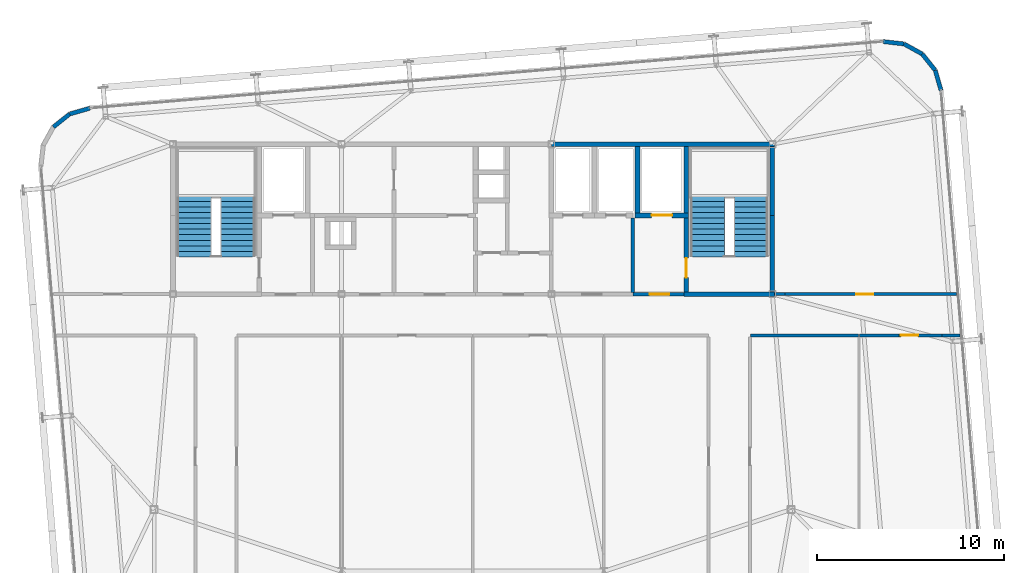
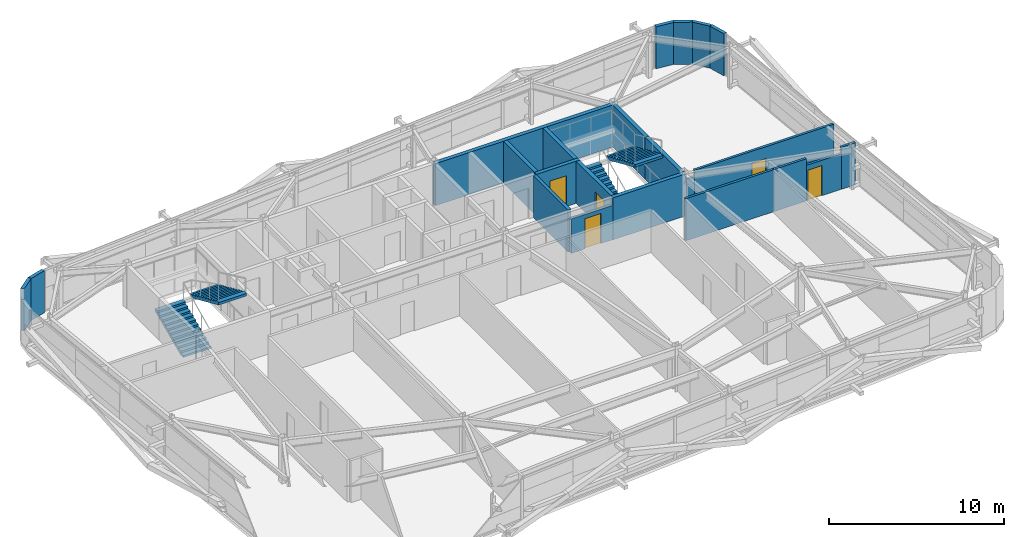
# One storey, part 35 of 37: 22 walls, 5 doors, 4 stair flights, 5 openings, 2 elements without a shape of their own.
"""IFC4 building model written with IfcOpenShell, lengths in metres."""

from ifc_helpers import new_model, si_unit, direction, frame, frame_2d, origin, place, context, subcontext, project, spatial, polyline, rectangle, outline, extrude, source, transform, mapped, material, layer, layer_set, type_object, element, fill, aggregate, save


model = new_model("IFC4")

# Units and contexts
model_context = context("Model", 3, precision=1e-05, world=origin(), true_north=direction((0.0, 1.0)))
body_context = subcontext(model_context, "Body", "Model", "MODEL_VIEW")
ifc_project = project(units=[si_unit("LENGTHUNIT", "METRE"), si_unit("AREAUNIT", "SQUARE_METRE"), si_unit("VOLUMEUNIT", "CUBIC_METRE"), si_unit("PLANEANGLEUNIT", "RADIAN"), si_unit("MASSUNIT", "GRAM", prefix="KILO")], contexts=[model_context])

# Site, building, storey
site_placement = place(None, origin())
site = spatial("IfcSite", under=ifc_project, at=site_placement, CompositionType="ELEMENT")
building_placement = place(site_placement, origin())
building = spatial("IfcBuilding", under=site, at=building_placement, Name="Taldren Reach Tower", CompositionType="ELEMENT")
storey_placement = place(building_placement, frame((0.0, 0.0, 182.0)))
storey = spatial("IfcBuildingStorey", under=building, at=storey_placement, Name="L55", CompositionType="ELEMENT", Elevation=182.0)

# Walls
ifc_material_1 = material(Name="Pale Champagne Anodised Aluminium Cladding", Category="aluminium")
ifc_layer_1 = layer(ifc_material_1, 0.04, Name="Pale Champagne Anodised Aluminium Cladding", Category="aluminium")
ifc_material_2 = material(Name="Mineral Wool Acoustic Insulation", Category="insulation")
ifc_layer_2 = layer(ifc_material_2, 0.06, Name="Mineral Wool Acoustic Insulation", Category="insulation")
ifc_material_3 = material(Name="Steel Gr 350 (C350L0)", Category="steel")
ifc_layer_3 = layer(ifc_material_3, 0.12, Name="Steel Gr 350 (C350L0)", Category="steel")
ifc_layer_set_1 = layer_set([ifc_layer_1, ifc_layer_2, ifc_layer_3], Name="Pale Champagne Aluminium Cladding and Steel Gr 350 Stud Framing")
wall_type_1 = type_object("IfcWallType", Name="EW-CRN-220", PredefinedType="SOLIDWALL", material=ifc_layer_set_1)
shared_shape_1 = source(origin(), body_context, "Body", "SweptSolid", [
    extrude(rectangle(XDim=1.115966796875, YDim=0.219970703125, at=frame_2d((0.55810546875, 0.0))), origin(), (0.0, 0.0, 1.0), 2.929931640625),
])
for number, where, z_axis, x_axis, name in (
    (1, (60.004150390625, 34.870361328125, 0.0), (0.0, 0.0, 1.0), (-0.276512002475, 0.961010464297, 0.0), "Rounded-corner pale-metal facade wall L55-NE1"),
    (2, (59.695556640625, 35.94287109375, 0.0), (0.0, 0.0, 1.0), (-0.623092886403, 0.782147847222, 0.0), "Rounded-corner pale-metal facade wall L55-NE2"),
    (3, (59.000244140625, 36.815673828125, 0.0), (0.0, 0.0, 1.0), (-0.875105012065, 0.483933071672, 0.0), "Rounded-corner pale-metal facade wall L55-NE3"),
    (4, (58.023681640625, 37.355712890625, 0.0), (0.0, 0.0, 1.0), (-0.993657581277, 0.112448259968, 0.0), "Rounded-corner pale-metal facade wall L55-NE4"),
    (5, (14.56396484375, 33.9248046875, 0.0), (0.0, 0.0, 1.0), (-0.961010464297, -0.276512002475, 0.0), "Rounded-corner pale-metal facade wall L55-NW1"),
):
    element("IfcWall", number, at=place(storey_placement, frame(where, z_axis=z_axis, x_axis=x_axis)), inside=storey, type_object=wall_type_1, Name=name, PredefinedType="SOLIDWALL", context=body_context, shape_type="MappedRepresentation", body=[
        mapped(shared_shape_1, transform((0.0, 0.0, 0.0), scale=1.0)),
    ])
shared_shape_2 = source(origin(), body_context, "Body", "SweptSolid", [
    extrude(rectangle(XDim=1.11572265625, YDim=0.219970703125, at=frame_2d((0.557861328125, 0.0))), origin(), (0.0, 0.0, 1.0), 2.929931640625),
])
wall_1_placement = place(storey_placement, frame((13.491455078125, 33.6162109375, 0.0), z_axis=(0.0, 0.0, 1.0), x_axis=(-0.782062884215, -0.623199522732, 0.0)))
element("IfcWall", 6, at=wall_1_placement, inside=storey, type_object=wall_type_1, Name="Rounded-corner pale-metal facade wall L55-NW2", PredefinedType="SOLIDWALL", context=body_context, shape_type="MappedRepresentation", body=[
    mapped(shared_shape_2, transform((0.0, 0.0, 0.0), scale=1.0)),
])
ifc_material_4 = material(Name="Concrete S65 (65 MPa)", Category="concrete")
ifc_layer_4 = layer(ifc_material_4, 0.25)
ifc_layer_set_2 = layer_set([ifc_layer_4], Name="Concrete S65 (65 MPa)")
wall_type_2 = type_object("IfcWallType", Name="IW-CORE-250", PredefinedType="SHEAR", material=ifc_layer_set_2)
shared_shape_3 = source(origin(), body_context, "Body", "SweptSolid", [
    extrude(rectangle(XDim=11.925048828125, YDim=0.25, at=frame_2d((5.96240234375, 0.0))), origin(), (0.0, 0.0, 1.0), 2.929931640625),
])
wall_2_placement = place(storey_placement, frame((39.199951171875, 32.0, 0.0), z_axis=(0.0, 0.0, 1.0), x_axis=(1.0, 0.0, 0.0)))
element("IfcWall", 7, at=wall_2_placement, inside=storey, type_object=wall_type_2, Name="Rear Core Shear Wall W-CORE-L55-NORTH3", PredefinedType="SHEAR", context=body_context, shape_type="MappedRepresentation", body=[
    mapped(shared_shape_3, transform((0.0, 0.0, 0.0), scale=1.0)),
])
shared_shape_4 = source(origin(), body_context, "Body", "SweptSolid", [
    extrude(rectangle(XDim=4.074951171875, YDim=0.25, at=frame_2d((2.03759765625, 0.0))), origin(), (0.0, 0.0, 1.0), 2.929931640625),
])
wall_3_placement = place(storey_placement, frame((51.0, 24.125, 0.0), z_axis=(0.0, 0.0, 1.0), x_axis=(0.0, 1.0, 0.0)))
element("IfcWall", 8, at=wall_3_placement, inside=storey, type_object=wall_type_2, Name="Rear Core Shear Wall W-CORE-L55-EAST1", PredefinedType="SHEAR", context=body_context, shape_type="MappedRepresentation", body=[
    mapped(shared_shape_4, transform((0.0, 0.0, 0.0), scale=1.0)),
])
shared_shape_5 = source(origin(), body_context, "Body", "SweptSolid", [
    extrude(rectangle(XDim=3.675048828125, YDim=0.25, at=frame_2d((1.83740234375, 0.0))), origin(), (0.0, 0.0, 1.0), 2.929931640625),
])
wall_4_placement = place(storey_placement, frame((51.0, 28.199951171875, 0.0), z_axis=(0.0, 0.0, 1.0), x_axis=(0.0, 1.0, 0.0)))
element("IfcWall", 9, at=wall_4_placement, inside=storey, type_object=wall_type_2, Name="Rear Core Shear Wall W-CORE-L55-EAST2", PredefinedType="SHEAR", context=body_context, shape_type="MappedRepresentation", body=[
    mapped(shared_shape_5, transform((0.0, 0.0, 0.0), scale=1.0)),
])
shared_shape_6 = source(origin(), body_context, "Body", "SweptSolid", [
    extrude(rectangle(XDim=3.550048828125, YDim=0.25, at=frame_2d((1.77490234375, 0.0))), origin(), (0.0, 0.0, 1.0), 2.929931640625),
])
for number, where, z_axis, x_axis, name in (
    (10, (46.39990234375, 31.875, 0.0), (0.0, 0.0, 1.0), (0.0, -1.0, 0.0), "Rear Core Shear Wall W-INT-L55-008"),
    (11, (43.800048828125, 31.875, 0.0), (0.0, 0.0, 1.0), (0.0, -1.0, 0.0), "Rear Core Shear Wall W-INT-L55-012"),
):
    element("IfcWall", number, at=place(storey_placement, frame(where, z_axis=z_axis, x_axis=x_axis)), inside=storey, type_object=wall_type_2, Name=name, PredefinedType="SHEAR", context=body_context, shape_type="MappedRepresentation", body=[
        mapped(shared_shape_6, transform((0.0, 0.0, 0.0), scale=1.0)),
    ])

# Wall, opening, door
shared_shape_7 = source(origin(), body_context, "Body", "SweptSolid", [
    extrude(rectangle(XDim=3.949951171875, YDim=0.25, at=frame_2d((1.97509765625, 0.0))), origin(), (0.0, 0.0, 1.0), 2.929931640625),
])
wall_5_placement = place(storey_placement, frame((46.39990234375, 28.074951171875, 0.0), z_axis=(0.0, 0.0, 1.0), x_axis=(0.0, -1.0, 0.0)))
wall_5 = element("IfcWall", 12, at=wall_5_placement, inside=storey, type_object=wall_type_2, Name="Rear Core Shear Wall W-INT-L55-009", PredefinedType="SHEAR", context=body_context, shape_type="MappedRepresentation", body=[
    mapped(shared_shape_7, transform((0.0, 0.0, 0.0), scale=1.0)),
])
shared_shape_8 = source(origin(), body_context, "Body", "SweptSolid", [
    extrude(rectangle(XDim=1.050048828125, YDim=2.10009765625, at=frame_2d((0.52490234375, 1.050048828125))), frame((0.0, 0.135009765625, 0.0), z_axis=(0.0, -1.0, 0.0), x_axis=(1.0, 0.0, 0.0)), (0.0, 0.0, 1.0), 0.27001953125),
])
opening_1_placement = place(wall_5_placement, frame((2.14990234375, 0.0, 0.0)))
opening_1 = element("IfcOpeningElement", 13, at=opening_1_placement, cuts=wall_5, Name="Opening DF-105", PredefinedType="OPENING", context=body_context, shape_type="MappedRepresentation", body=[
    mapped(shared_shape_8, transform((0.0, 0.0, 0.0), scale=1.0)),
])
ifc_material_5 = material(Name="Fire-Rated Care and Stair Exit Door")
door_type_1 = type_object("IfcDoorType", Name="ID-FIRE-105", OperationType="NOTDEFINED", PredefinedType="DOOR", material=ifc_material_5)
shared_shape_9 = source(origin(), body_context, "Body", "SweptSolid", [
    extrude(rectangle(XDim=1.050048828125, YDim=2.10009765625, at=frame_2d((0.52490234375, 1.050048828125))), frame((0.0, 0.02490234375, 0.0), z_axis=(0.0, -1.0, 0.0), x_axis=(1.0, 0.0, 0.0)), (0.0, 0.0, 1.0), 0.050048828125),
])
door_1_placement = place(opening_1_placement, origin())
door_1 = element("IfcDoor", 14, at=door_1_placement, inside=storey, type_object=door_type_1, Name="Fire Exit Stair Door DR-L55-003", OperationType="SINGLE_SWING_RIGHT", OverallHeight=2.10009765625, OverallWidth=1.050048828125, PredefinedType="DOOR", context=body_context, shape_type="MappedRepresentation", body=[
    mapped(shared_shape_9, transform((0.0, 0.0, 0.0), scale=1.0)),
])
fill(opening_1, door_1)

# Wall
shared_shape_10 = source(origin(), body_context, "Body", "SweptSolid", [
    extrude(rectangle(XDim=4.85009765625, YDim=0.25, at=frame_2d((2.425048828125, 0.0))), origin(), (0.0, 0.0, 1.0), 2.929931640625),
])
wall_6_placement = place(storey_placement, frame((46.27490234375, 24.0, 0.0), z_axis=(0.0, 0.0, 1.0), x_axis=(1.0, 0.0, 0.0)))
element("IfcWall", 15, at=wall_6_placement, inside=storey, type_object=wall_type_2, Name="Rear Core Shear Wall W-INT-L55-010", PredefinedType="SHEAR", context=body_context, shape_type="MappedRepresentation", body=[
    mapped(shared_shape_10, transform((0.0, 0.0, 0.0), scale=1.0)),
])

# Wall, opening, door
shared_shape_11 = source(origin(), body_context, "Body", "SweptSolid", [
    extrude(rectangle(XDim=2.849853515625, YDim=0.25, at=frame_2d((1.4248046875, 0.0))), origin(), (0.0, 0.0, 1.0), 2.929931640625),
])
wall_7_placement = place(storey_placement, frame((43.675048828125, 28.199951171875, 0.0), z_axis=(0.0, 0.0, 1.0), x_axis=(1.0, 0.0, 0.0)))
wall_7 = element("IfcWall", 16, at=wall_7_placement, inside=storey, type_object=wall_type_2, Name="Rear Core Shear Wall W-INT-L55-011", PredefinedType="SHEAR", context=body_context, shape_type="MappedRepresentation", body=[
    mapped(shared_shape_11, transform((0.0, 0.0, 0.0), scale=1.0)),
])
shared_shape_12 = source(origin(), body_context, "Body", "SweptSolid", [
    extrude(rectangle(XDim=1.10009765625, YDim=2.14990234375, at=frame_2d((0.550048828125, 1.074951171875))), frame((0.0, 0.135009765625, 0.0), z_axis=(0.0, -1.0, 0.0), x_axis=(1.0, 0.0, 0.0)), (0.0, 0.0, 1.0), 0.27001953125),
])
opening_2_placement = place(wall_7_placement, frame((0.875, 0.0, 0.0)))
opening_2 = element("IfcOpeningElement", 17, at=opening_2_placement, cuts=wall_7, Name="Opening LD-FL2", PredefinedType="OPENING", context=body_context, shape_type="MappedRepresentation", body=[
    mapped(shared_shape_12, transform((0.0, 0.0, 0.0), scale=1.0)),
])
ifc_material_6 = material(Name="Stainless Steel Gr 316 Emergency Lift Landing Door", Category="steel")
door_type_2 = type_object("IfcDoorType", Name="LD-EMG-110", OperationType="SLIDING_TO_LEFT", PredefinedType="DOOR", material=ifc_material_6)
shared_shape_13 = source(origin(), body_context, "Body", "SweptSolid", [
    extrude(rectangle(XDim=1.10009765625, YDim=2.14990234375, at=frame_2d((0.550048828125, 1.074951171875))), frame((0.0, 0.02490234375, 0.0), z_axis=(0.0, -1.0, 0.0), x_axis=(1.0, 0.0, 0.0)), (0.0, 0.0, 1.0), 0.050048828125),
])
door_2_placement = place(opening_2_placement, origin())
door_2 = element("IfcDoor", 18, at=door_2_placement, inside=storey, type_object=door_type_2, Name="Lift Landing Door LD-FL2-L55", OperationType="SLIDING_TO_LEFT", OverallHeight=2.14990234375, OverallWidth=1.10009765625, PredefinedType="DOOR", context=body_context, shape_type="MappedRepresentation", body=[
    mapped(shared_shape_13, transform((0.0, 0.0, 0.0), scale=1.0)),
])
fill(opening_2, door_2)

# Wall
ifc_material_7 = material(Name="Concrete S50 (50 MPa)", Category="concrete")
ifc_layer_5 = layer(ifc_material_7, 0.199951171875)
ifc_layer_set_3 = layer_set([ifc_layer_5], Name="Concrete S50 (50 MPa)")
wall_type_3 = type_object("IfcWallType", Name="IW-CORE-200", PredefinedType="SOLIDWALL", material=ifc_layer_set_3)
shared_shape_14 = source(origin(), body_context, "Body", "SweptSolid", [
    extrude(rectangle(XDim=3.974853515625, YDim=0.199951171875, at=frame_2d((1.9873046875, 0.0))), origin(), (0.0, 0.0, 1.0), 2.929931640625),
])
wall_8_placement = place(storey_placement, frame((43.550048828125, 28.074951171875, 0.0), z_axis=(0.0, 0.0, 1.0), x_axis=(0.0, -1.0, 0.0)))
element("IfcWall", 19, at=wall_8_placement, inside=storey, type_object=wall_type_3, Name="Rear Core Shear Wall W-INT-L55-013", PredefinedType="SOLIDWALL", context=body_context, shape_type="MappedRepresentation", body=[
    mapped(shared_shape_14, transform((0.0, 0.0, 0.0), scale=1.0)),
])

# Wall, opening, door
shared_shape_15 = source(origin(), body_context, "Body", "SweptSolid", [
    extrude(rectangle(XDim=2.724853515625, YDim=0.199951171875, at=frame_2d((1.3623046875, 0.0))), origin(), (0.0, 0.0, 1.0), 2.39697265625),
])
wall_9_placement = place(storey_placement, frame((43.550048828125, 24.0, 0.0), z_axis=(0.0, 0.0, 1.0), x_axis=(1.0, 0.0, 0.0)))
wall_9 = element("IfcWall", 20, at=wall_9_placement, inside=storey, type_object=wall_type_3, Name="Rear Core Shear Wall W-INT-L55-014", PredefinedType="SOLIDWALL", context=body_context, shape_type="MappedRepresentation", body=[
    mapped(shared_shape_15, transform((0.0, 0.0, 0.0), scale=1.0)),
])
shared_shape_16 = source(origin(), body_context, "Body", "SweptSolid", [
    extrude(rectangle(XDim=1.050048828125, YDim=2.10009765625, at=frame_2d((0.52490234375, 1.050048828125))), frame((0.0, 0.10986328125, 0.0), z_axis=(0.0, -1.0, 0.0), x_axis=(1.0, 0.0, 0.0)), (0.0, 0.0, 1.0), 0.219970703125),
])
opening_3_placement = place(wall_9_placement, frame((0.89990234375, 0.0, 0.0)))
opening_3 = element("IfcOpeningElement", 21, at=opening_3_placement, cuts=wall_9, Name="Opening DF-105", PredefinedType="OPENING", context=body_context, shape_type="MappedRepresentation", body=[
    mapped(shared_shape_16, transform((0.0, 0.0, 0.0), scale=1.0)),
])
door_3_placement = place(opening_3_placement, origin())
door_3 = element("IfcDoor", 22, at=door_3_placement, inside=storey, type_object=door_type_1, Name="Interior Door DR-L55-004", OperationType="SINGLE_SWING_LEFT", OverallHeight=2.10009765625, OverallWidth=1.050048828125, PredefinedType="DOOR", context=body_context, shape_type="MappedRepresentation", body=[
    mapped(shared_shape_9, transform((0.0, 0.0, 0.0), scale=1.0)),
])
fill(opening_3, door_3)

# Wall
ifc_material_8 = material(Name="Fire-Rated Acoustic Plasterboard Stud Wall", Category="gypsum")
ifc_layer_6 = layer(ifc_material_8, 0.159912109375)
ifc_layer_set_4 = layer_set([ifc_layer_6], Name="Fire-Rated Acoustic Plasterboard Stud Wall")
wall_type_4 = type_object("IfcWallType", Name="IW-FIRE-160", PredefinedType="PARTITIONING", material=ifc_layer_set_4)
shared_shape_17 = source(origin(), body_context, "Body", "SweptSolid", [
    extrude(rectangle(XDim=0.5556640625, YDim=0.159912109375, at=frame_2d((0.27783203125, 0.0))), origin(), (0.0, 0.0, 1.0), 2.469970703125),
])
wall_10_placement = place(storey_placement, frame((51.125, 24.0, 0.0), z_axis=(0.0, 0.0, 1.0), x_axis=(1.0, 0.0, 0.0)))
element("IfcWall", 23, at=wall_10_placement, inside=storey, type_object=wall_type_4, Name="Interior Partition Wall W-INT-L55-053", PredefinedType="PARTITIONING", context=body_context, shape_type="MappedRepresentation", body=[
    mapped(shared_shape_17, transform((0.0, 0.0, 0.0), scale=1.0)),
])

# Wall, opening, door
shared_shape_18 = source(origin(), body_context, "Body", "SweptSolid", [
    extrude(rectangle(XDim=9.15283203125, YDim=0.159912109375, at=frame_2d((4.576416015625, 0.0))), origin(), (0.0, 0.0, 1.0), 2.929931640625),
])
wall_11_placement = place(storey_placement, frame((51.6806640625, 24.0, 0.0), z_axis=(0.0, 0.0, 1.0), x_axis=(1.0, 0.0, 0.0)))
wall_11 = element("IfcWall", 24, at=wall_11_placement, inside=storey, type_object=wall_type_4, Name="Interior Partition Wall W-INT-L55-053 part 2", PredefinedType="PARTITIONING", context=body_context, shape_type="MappedRepresentation", body=[
    mapped(shared_shape_18, transform((0.0, 0.0, 0.0), scale=1.0)),
])
shared_shape_19 = source(origin(), body_context, "Body", "SweptSolid", [
    extrude(rectangle(XDim=0.919921875, YDim=2.10009765625, at=frame_2d((0.4599609375, 1.050048828125))), frame((0.0, 0.08984375, 0.0), z_axis=(0.0, -1.0, 0.0), x_axis=(1.0, 0.0, 0.0)), (0.0, 0.0, 1.0), 0.179931640625),
])
opening_4_placement = place(wall_11_placement, frame((3.7861328125, 0.0, 0.0)))
opening_4 = element("IfcOpeningElement", 25, at=opening_4_placement, cuts=wall_11, Name="Opening DI-092", PredefinedType="OPENING", context=body_context, shape_type="MappedRepresentation", body=[
    mapped(shared_shape_19, transform((0.0, 0.0, 0.0), scale=1.0)),
])
ifc_material_9 = material(Name="Solid-Core Timber Suite Door", Category="wood")
door_type_3 = type_object("IfcDoorType", Name="ID-INT-092", OperationType="NOTDEFINED", PredefinedType="DOOR", material=ifc_material_9)
shared_shape_20 = source(origin(), body_context, "Body", "SweptSolid", [
    extrude(rectangle(XDim=0.919921875, YDim=2.10009765625, at=frame_2d((0.4599609375, 1.050048828125))), frame((0.0, 0.02490234375, 0.0), z_axis=(0.0, -1.0, 0.0), x_axis=(1.0, 0.0, 0.0)), (0.0, 0.0, 1.0), 0.050048828125),
])
door_4_placement = place(opening_4_placement, origin())
door_4 = element("IfcDoor", 26, at=door_4_placement, inside=storey, type_object=door_type_3, Name="Interior Door DR-L55-017", OperationType="SINGLE_SWING_RIGHT", OverallHeight=2.10009765625, OverallWidth=0.919921875, PredefinedType="DOOR", context=body_context, shape_type="MappedRepresentation", body=[
    mapped(shared_shape_20, transform((0.0, 0.0, 0.0), scale=1.0)),
])
fill(opening_4, door_4)

# Walls
shared_shape_21 = source(origin(), body_context, "Body", "SweptSolid", [
    extrude(rectangle(XDim=0.9453125, YDim=0.159912109375, at=frame_2d((0.47265625, 0.0))), origin(), (0.0, 0.0, 1.0), 2.929931640625),
])
wall_12_placement = place(storey_placement, frame((61.004638671875, 21.800048828125, 0.0), z_axis=(0.0, 0.0, 1.0), x_axis=(-1.0, 0.0, 0.0)))
element("IfcWall", 27, at=wall_12_placement, inside=storey, type_object=wall_type_4, Name="Interior Partition Wall W-INT-L55-061", PredefinedType="PARTITIONING", context=body_context, shape_type="MappedRepresentation", body=[
    mapped(shared_shape_21, transform((0.0, 0.0, 0.0), scale=1.0)),
])
shared_shape_22 = source(origin(), body_context, "Body", "SweptSolid", [
    extrude(rectangle(XDim=5.777099609375, YDim=0.159912109375, at=frame_2d((2.888671875, 0.0))), origin(), (0.0, 0.0, 1.0), 2.929931640625),
])
wall_13_placement = place(storey_placement, frame((55.597412109375, 21.800048828125, 0.0), z_axis=(0.0, 0.0, 1.0), x_axis=(-1.0, 0.0, 0.0)))
element("IfcWall", 28, at=wall_13_placement, inside=storey, type_object=wall_type_4, Name="Interior Partition Wall W-INT-L55-059", PredefinedType="PARTITIONING", context=body_context, shape_type="MappedRepresentation", body=[
    mapped(shared_shape_22, transform((0.0, 0.0, 0.0), scale=1.0)),
])

# Wall, opening, door
shared_shape_23 = source(origin(), body_context, "Body", "SweptSolid", [
    extrude(rectangle(XDim=2.298095703125, YDim=0.159912109375, at=frame_2d((1.14892578125, 0.0))), origin(), (0.0, 0.0, 1.0), 2.469970703125),
])
wall_14_placement = place(storey_placement, frame((60.059326171875, 21.800048828125, 0.0), z_axis=(0.0, 0.0, 1.0), x_axis=(-1.0, 0.0, 0.0)))
wall_14 = element("IfcWall", 29, at=wall_14_placement, inside=storey, type_object=wall_type_4, Name="Interior Partition Wall W-INT-L55-061 part 2", PredefinedType="PARTITIONING", context=body_context, shape_type="MappedRepresentation", body=[
    mapped(shared_shape_23, transform((0.0, 0.0, 0.0), scale=1.0)),
])
opening_5_placement = place(wall_14_placement, frame((1.2783203125, 0.0, 0.0)))
opening_5 = element("IfcOpeningElement", 30, at=opening_5_placement, cuts=wall_14, Name="Opening DI-092", PredefinedType="OPENING", context=body_context, shape_type="MappedRepresentation", body=[
    mapped(shared_shape_19, transform((0.0, 0.0, 0.0), scale=1.0)),
])
door_5_placement = place(opening_5_placement, origin())
door_5 = element("IfcDoor", 31, at=door_5_placement, inside=storey, type_object=door_type_3, Name="Interior Door DR-L55-021", OperationType="SINGLE_SWING_RIGHT", OverallHeight=2.10009765625, OverallWidth=0.919921875, PredefinedType="DOOR", context=body_context, shape_type="MappedRepresentation", body=[
    mapped(shared_shape_20, transform((0.0, 0.0, 0.0), scale=1.0)),
])
fill(opening_5, door_5)

# Wall
shared_shape_24 = source(origin(), body_context, "Body", "SweptSolid", [
    extrude(rectangle(XDim=2.12353515625, YDim=0.159912109375, at=frame_2d((1.061767578125, 0.0))), origin(), (0.0, 0.0, 1.0), 2.929931640625),
])
wall_15_placement = place(storey_placement, frame((57.76123046875, 21.800048828125, 0.0), z_axis=(0.0, 0.0, 1.0), x_axis=(-1.0, 0.0, 0.0)))
element("IfcWall", 32, at=wall_15_placement, inside=storey, type_object=wall_type_4, Name="Interior Partition Wall W-INT-L55-061 part 3", PredefinedType="PARTITIONING", context=body_context, shape_type="MappedRepresentation", body=[
    mapped(shared_shape_24, transform((0.0, 0.0, 0.0), scale=1.0)),
])

# Stair, stair flights
stair_type = type_object("IfcStairType", Name="ST-HT-315", PredefinedType="HALF_TURN_STAIR", material=ifc_material_7)
stair_1_placement = place(storey_placement, origin())
stair_1 = element("IfcStair", 33, at=stair_1_placement, inside=storey, type_object=stair_type, Name="Fire-isolated exit stair ST1 L55", PredefinedType="HALF_TURN_STAIR")
stair_flight_type = type_object("IfcStairFlightType", Name="SF-STR-315", PredefinedType="STRAIGHT", material=ifc_material_7)
stair_flight_1_placement = place(storey_placement, frame((20.139892578125, 25.989990234375, 0.0), z_axis=(0.0, 0.0, 1.0), x_axis=(0.0, 1.0, 0.0)))
stair_flight_1 = element("IfcStairFlight", 34, at=stair_flight_1_placement, type_object=stair_flight_type, Name="ST1 flight 1", NumberOfRisers=12, NumberOfTreads=11, PredefinedType="STRAIGHT", RiserHeight=0.13125, TreadLength=0.295, context=body_context, shape_type="SweptSolid", body=[
    extrude(outline(polyline([(0.0, 0.0), (0.0, 0.13134765625), (0.294921875, 0.13134765625), (0.294921875, 0.262451171875), (0.590087890625, 0.262451171875), (0.590087890625, 0.393798828125), (0.885009765625, 0.393798828125), (0.885009765625, 0.52490234375), (1.179931640625, 0.52490234375), (1.179931640625, 0.65625), (1.47509765625, 0.65625), (1.47509765625, 0.78759765625), (1.77001953125, 0.78759765625), (1.77001953125, 0.918701171875), (2.06494140625, 0.918701171875), (2.06494140625, 1.050048828125), (2.360107421875, 1.050048828125), (2.360107421875, 1.18115234375), (2.655029296875, 1.18115234375), (2.655029296875, 1.3125), (2.949951171875, 1.3125), (2.949951171875, 1.44384765625), (3.2451171875, 1.44384765625), (3.2451171875, 1.574951171875), (3.2451171875, 1.268798828125), (0.393310546875, 0.0), (0.0, 0.0)])), frame((0.0, 0.919921875, 0.0), z_axis=(0.0, -1.0, 0.0), x_axis=(1.0, 0.0, 0.0)), (0.0, 0.0, 1.0), 1.840087890625),
])
stair_flight_2_placement = place(storey_placement, frame((22.4599609375, 29.235107421875, 1.574951171875), z_axis=(0.0, 0.0, 1.0), x_axis=(0.0, -1.0, 0.0)))
stair_flight_2 = element("IfcStairFlight", 35, at=stair_flight_2_placement, type_object=stair_flight_type, Name="ST1 flight 2", NumberOfRisers=12, NumberOfTreads=11, PredefinedType="STRAIGHT", RiserHeight=0.13125, TreadLength=0.295, context=body_context, shape_type="SweptSolid", body=[
    extrude(outline(polyline([(0.0, 0.0), (0.0, 0.13134765625), (0.294921875, 0.13134765625), (0.294921875, 0.262451171875), (0.590087890625, 0.262451171875), (0.590087890625, 0.393798828125), (0.885009765625, 0.393798828125), (0.885009765625, 0.52490234375), (1.179931640625, 0.52490234375), (1.179931640625, 0.65625), (1.47509765625, 0.65625), (1.47509765625, 0.78759765625), (1.77001953125, 0.78759765625), (1.77001953125, 0.918701171875), (2.06494140625, 0.918701171875), (2.06494140625, 1.050048828125), (2.360107421875, 1.050048828125), (2.360107421875, 1.18115234375), (2.655029296875, 1.18115234375), (2.655029296875, 1.3125), (2.949951171875, 1.3125), (2.949951171875, 1.44384765625), (3.2451171875, 1.44384765625), (3.2451171875, 1.574951171875), (3.2451171875, 1.268798828125), (0.393310546875, 0.0), (0.0, 0.0)])), frame((0.0, 0.919921875, 0.0), z_axis=(0.0, -1.0, 0.0), x_axis=(1.0, 0.0, 0.0)), (0.0, 0.0, 1.0), 1.840087890625),
])
aggregate(stair_1, [stair_flight_1, stair_flight_2])

stair_2_placement = place(storey_placement, origin())
stair_2 = element("IfcStair", 36, at=stair_2_placement, inside=storey, type_object=stair_type, Name="Fire-isolated exit stair ST2 L55", PredefinedType="HALF_TURN_STAIR")
stair_flight_3_placement = place(storey_placement, frame((47.5400390625, 25.989990234375, 0.0), z_axis=(0.0, 0.0, 1.0), x_axis=(0.0, 1.0, 0.0)))
stair_flight_3 = element("IfcStairFlight", 37, at=stair_flight_3_placement, type_object=stair_flight_type, Name="ST2 flight 1", NumberOfRisers=12, NumberOfTreads=11, PredefinedType="STRAIGHT", RiserHeight=0.13125, TreadLength=0.295, context=body_context, shape_type="SweptSolid", body=[
    extrude(outline(polyline([(0.0, 0.0), (0.0, 0.13134765625), (0.294921875, 0.13134765625), (0.294921875, 0.262451171875), (0.590087890625, 0.262451171875), (0.590087890625, 0.393798828125), (0.885009765625, 0.393798828125), (0.885009765625, 0.52490234375), (1.179931640625, 0.52490234375), (1.179931640625, 0.65625), (1.47509765625, 0.65625), (1.47509765625, 0.78759765625), (1.77001953125, 0.78759765625), (1.77001953125, 0.918701171875), (2.06494140625, 0.918701171875), (2.06494140625, 1.050048828125), (2.360107421875, 1.050048828125), (2.360107421875, 1.18115234375), (2.655029296875, 1.18115234375), (2.655029296875, 1.3125), (2.949951171875, 1.3125), (2.949951171875, 1.44384765625), (3.2451171875, 1.44384765625), (3.2451171875, 1.574951171875), (3.2451171875, 1.268798828125), (0.393310546875, 0.0), (0.0, 0.0)])), frame((0.0, 0.919921875, 0.0), z_axis=(0.0, -1.0, 0.0), x_axis=(1.0, 0.0, 0.0)), (0.0, 0.0, 1.0), 1.840087890625),
])
stair_flight_4_placement = place(storey_placement, frame((49.860107421875, 29.235107421875, 1.574951171875), z_axis=(0.0, 0.0, 1.0), x_axis=(0.0, -1.0, 0.0)))
stair_flight_4 = element("IfcStairFlight", 38, at=stair_flight_4_placement, type_object=stair_flight_type, Name="ST2 flight 2", NumberOfRisers=12, NumberOfTreads=11, PredefinedType="STRAIGHT", RiserHeight=0.13125, TreadLength=0.295, context=body_context, shape_type="SweptSolid", body=[
    extrude(outline(polyline([(0.0, 0.0), (0.0, 0.13134765625), (0.294921875, 0.13134765625), (0.294921875, 0.262451171875), (0.590087890625, 0.262451171875), (0.590087890625, 0.393798828125), (0.885009765625, 0.393798828125), (0.885009765625, 0.52490234375), (1.179931640625, 0.52490234375), (1.179931640625, 0.65625), (1.47509765625, 0.65625), (1.47509765625, 0.78759765625), (1.77001953125, 0.78759765625), (1.77001953125, 0.918701171875), (2.06494140625, 0.918701171875), (2.06494140625, 1.050048828125), (2.360107421875, 1.050048828125), (2.360107421875, 1.18115234375), (2.655029296875, 1.18115234375), (2.655029296875, 1.3125), (2.949951171875, 1.3125), (2.949951171875, 1.44384765625), (3.2451171875, 1.44384765625), (3.2451171875, 1.574951171875), (3.2451171875, 1.268798828125), (0.393310546875, 0.0), (0.0, 0.0)])), frame((0.0, 0.919921875, 0.0), z_axis=(0.0, -1.0, 0.0), x_axis=(1.0, 0.0, 0.0)), (0.0, 0.0, 1.0), 1.840087890625),
])
aggregate(stair_2, [stair_flight_3, stair_flight_4])

save(model, "model.ifc")
